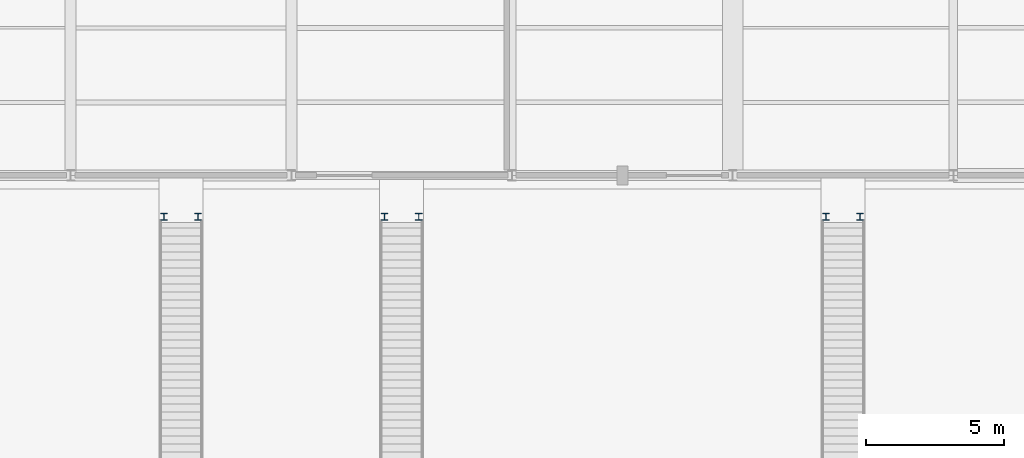
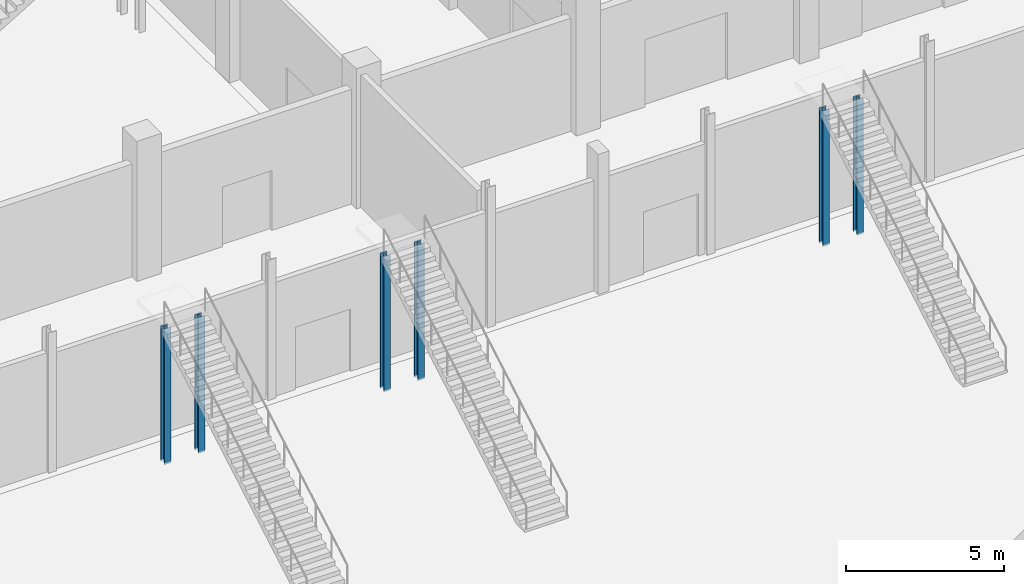
# One storey, part 13 of 123: 6 columns.
"""IFC4 building model written with IfcOpenShell, lengths in metres."""

from ifc_helpers import new_model, si_unit, direction, frame, origin, origin_2d, place, context, subcontext, project, spatial, i_section, extrude, material, material_profile, profile_set, type_object, element, save


model = new_model("IFC4")

# Units and contexts
model_context = context("Model", 3, precision=1e-05, world=origin(), true_north=direction((0.0, 1.0)))
body_context = subcontext(model_context, "Body", "Model", "MODEL_VIEW")
ifc_project = project(units=[si_unit("LENGTHUNIT", "METRE"), si_unit("AREAUNIT", "SQUARE_METRE"), si_unit("VOLUMEUNIT", "CUBIC_METRE"), si_unit("PLANEANGLEUNIT", "RADIAN"), si_unit("MASSUNIT", "GRAM", prefix="KILO")], contexts=[model_context])

# Site, building, storey
site_placement = place(None, origin())
site = spatial("IfcSite", under=ifc_project, at=site_placement, CompositionType="ELEMENT")
building_placement = place(site_placement, origin())
building = spatial("IfcBuilding", under=site, at=building_placement, Name="Tenunan Teduh Sports Hall", CompositionType="ELEMENT")
storey_placement = place(building_placement, origin())
storey = spatial("IfcBuildingStorey", under=building, at=storey_placement, Name="L00", CompositionType="ELEMENT", Elevation=0.0)

# Columns
ifc_material = material(Name="Steel S355", Category="steel")
ifc_material_profile = material_profile(ifc_material, i_section(OverallWidth=0.239990234375, OverallDepth=0.239990234375, WebThickness=0.010009765625, FlangeThickness=0.01708984375, FilletRadius=0.02099609375, at=origin_2d()), Name="HEB 240")
ifc_profile_set = profile_set([ifc_material_profile], Name="Steel S355")
column_type = type_object("IfcColumnType", Name="COL-ST-HEB240", PredefinedType="COLUMN", material=ifc_profile_set)
for number, where, z_axis, x_axis, name in (
    (1, (133.3798828125, 36.5, 0.0), (0.0, 0.0, 1.0), (1.0, 0.0, 0.0), "COL-SC-04-FST-1-1-L00"),
    (2, (134.6201171875, 36.5, 0.0), (0.0, 0.0, 1.0), (1.0, 0.0, 0.0), "COL-SC-04-FST-1-2-L00"),
    (3, (141.3798828125, 36.5, 0.0), (0.0, 0.0, 1.0), (1.0, 0.0, 0.0), "COL-SC-04-FST-2-1-L00"),
    (4, (142.6201171875, 36.5, 0.0), (0.0, 0.0, 1.0), (1.0, 0.0, 0.0), "COL-SC-04-FST-2-2-L00"),
    (5, (157.3798828125, 36.5, 0.0), (0.0, 0.0, 1.0), (1.0, 0.0, 0.0), "COL-SC-04-FST-3-1-L00"),
    (6, (158.6201171875, 36.5, 0.0), (0.0, 0.0, 1.0), (1.0, 0.0, 0.0), "COL-SC-04-FST-3-2-L00"),
):
    element("IfcColumn", number, at=place(storey_placement, frame(where, z_axis=z_axis, x_axis=x_axis)), inside=storey, type_object=column_type, Name=name, PredefinedType="COLUMN", context=body_context, shape_type="SweptSolid", body=[
        extrude(i_section(OverallWidth=0.239990234375, OverallDepth=0.239990234375, WebThickness=0.010009765625, FlangeThickness=0.01708984375, FilletRadius=0.02099609375, at=origin_2d()), origin(), (0.0, 0.0, 1.0), 5.219970703125),
    ])

save(model, "model.ifc")
